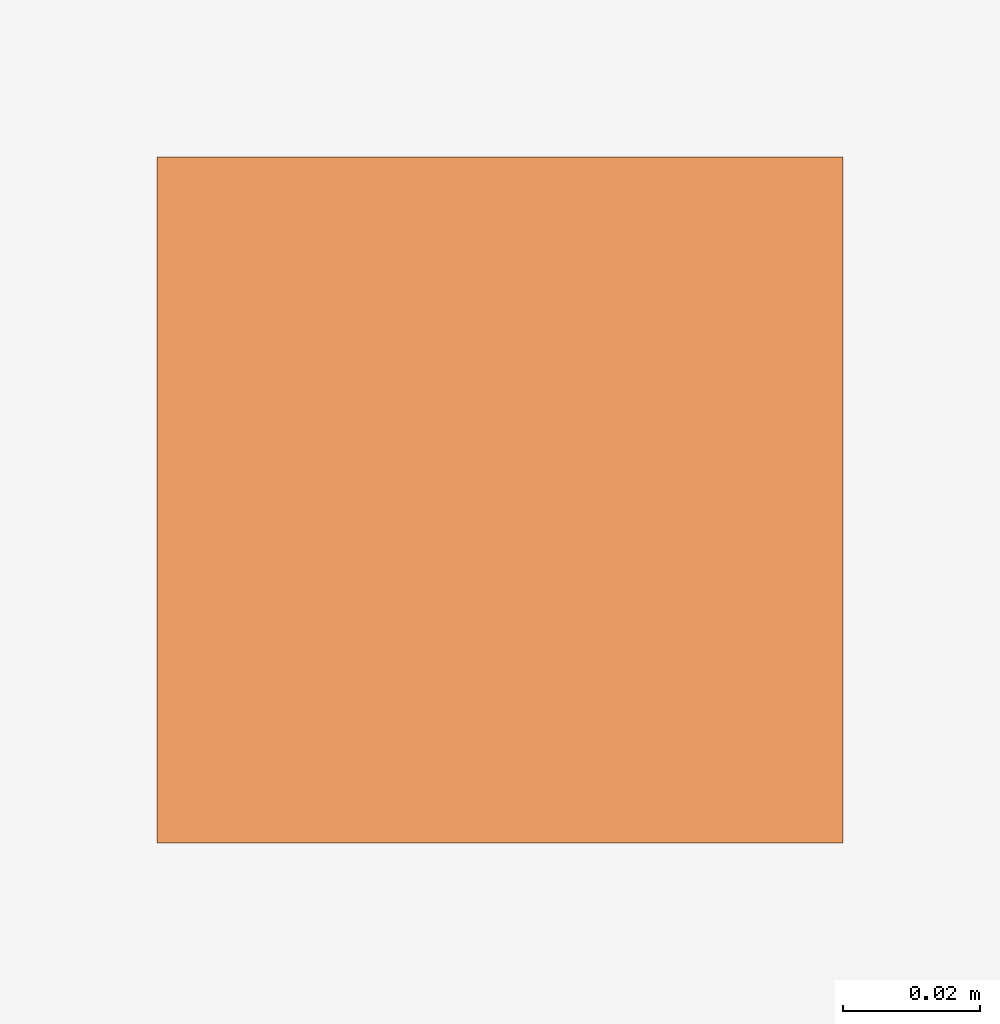
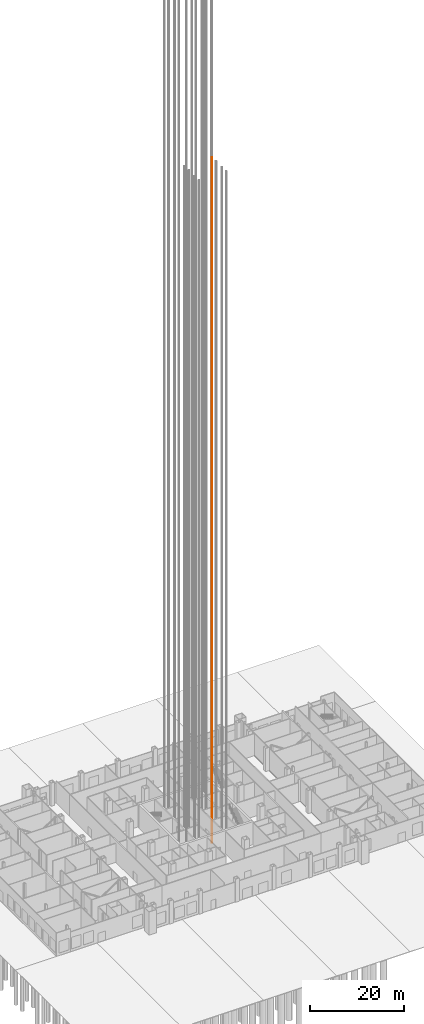
# One storey, part 28 of 36: 1 proxy.
"""IFC4 building model written with IfcOpenShell, lengths in metres."""

from ifc_helpers import new_model, si_unit, direction, frame, origin, origin_2d, place, context, subcontext, project, spatial, rectangle, extrude, material, type_object, element, save


model = new_model("IFC4")

# Units and contexts
model_context = context("Model", 3, precision=1e-05, world=origin(), true_north=direction((0.0, 1.0)))
body_context = subcontext(model_context, "Body", "Model", "MODEL_VIEW")
ifc_project = project(units=[si_unit("LENGTHUNIT", "METRE"), si_unit("AREAUNIT", "SQUARE_METRE"), si_unit("VOLUMEUNIT", "CUBIC_METRE"), si_unit("PLANEANGLEUNIT", "RADIAN"), si_unit("MASSUNIT", "GRAM", prefix="KILO")], contexts=[model_context])

# Site, building, storey
site_placement = place(None, origin())
site = spatial("IfcSite", under=ifc_project, at=site_placement, CompositionType="ELEMENT")
building_placement = place(site_placement, origin())
building = spatial("IfcBuilding", under=site, at=building_placement, Name="Malebo Sky Hospital", CompositionType="ELEMENT")
storey_placement = place(building_placement, origin())
storey = spatial("IfcBuildingStorey", under=building, at=storey_placement, Name="L00", CompositionType="ELEMENT", Elevation=0.0)

# Proxy
ifc_material = material(Name="Steel S355", Category="steel")
building_element_proxy_type = type_object("IfcBuildingElementProxyType", Name="LIFT GUIDE RAIL 100", PredefinedType="USERDEFINED", material=ifc_material)
proxy_placement = place(storey_placement, frame((63.35009765625, 60.77490234375, 0.0)))
element("IfcBuildingElementProxy", 1, at=proxy_placement, inside=storey, type_object=building_element_proxy_type, Name="Lift E2 guide rail 2", ObjectType="LIFT GUIDE RAIL", PredefinedType="USERDEFINED", context=body_context, shape_type="SweptSolid", body=[
    extrude(rectangle(XDim=0.10009765625, YDim=0.10009765625, at=origin_2d()), frame((0.0, 0.0, -2.25)), (0.0, 0.0, 1.0), 177.75),
])

save(model, "model.ifc")
